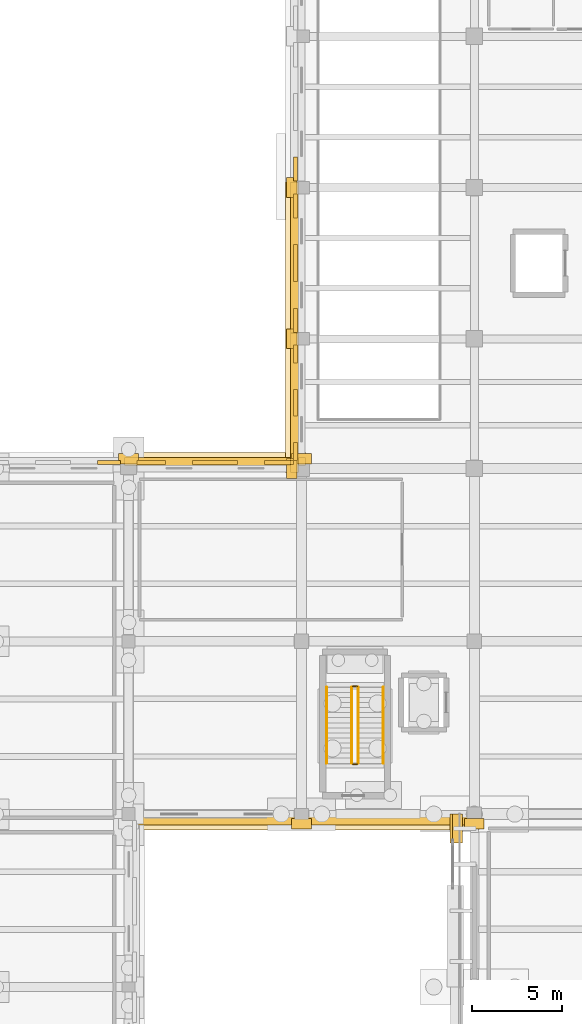
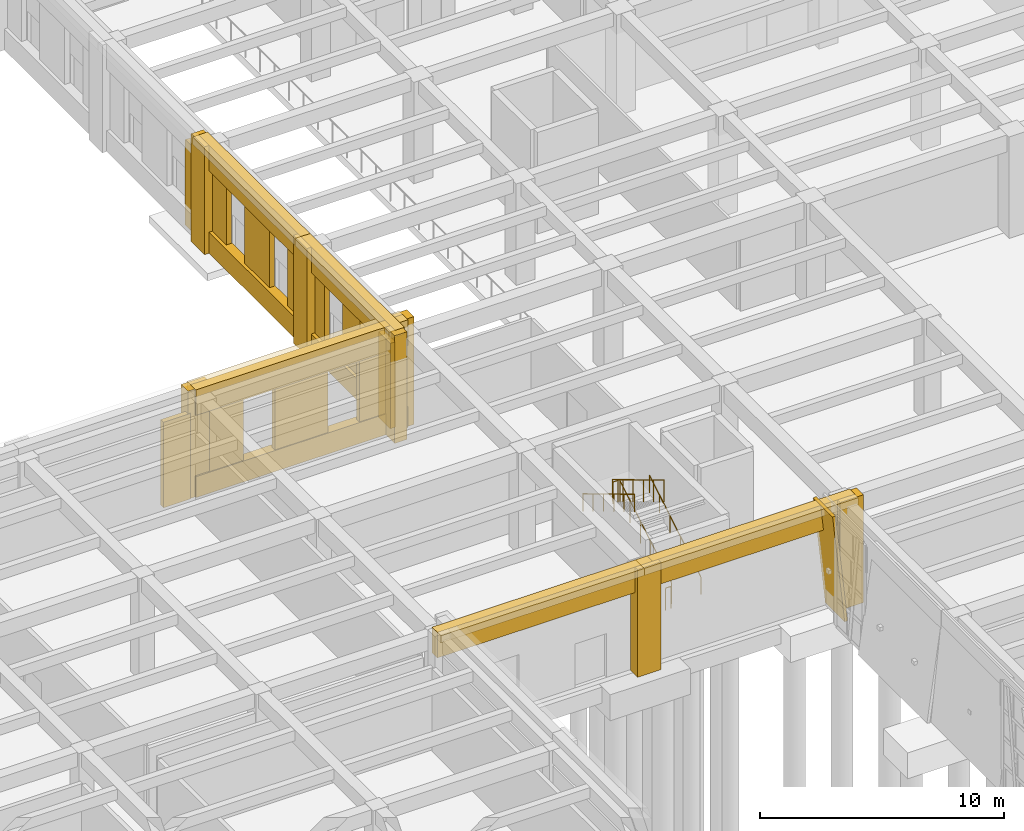
# One storey, part 44 of 51: 32 coverings, 6 railings.
"""IFC4 building model written with IfcOpenShell, lengths in metres."""

from ifc_helpers import new_model, si_unit, direction, frame, origin, origin_2d, place, context, subcontext, project, spatial, rectangle, circle, extrude, material, layer, layer_set, type_object, element, save


model = new_model("IFC4")

# Units and contexts
model_context = context("Model", 3, precision=1e-05, world=origin(), true_north=direction((0.0, 1.0)))
body_context = subcontext(model_context, "Body", "Model", "MODEL_VIEW")
ifc_project = project(units=[si_unit("LENGTHUNIT", "METRE"), si_unit("AREAUNIT", "SQUARE_METRE"), si_unit("VOLUMEUNIT", "CUBIC_METRE"), si_unit("PLANEANGLEUNIT", "RADIAN"), si_unit("MASSUNIT", "GRAM", prefix="KILO")], contexts=[model_context])

# Site, building, storey
site_placement = place(None, origin())
site = spatial("IfcSite", under=ifc_project, at=site_placement, CompositionType="ELEMENT")
building_placement = place(site_placement, origin())
building = spatial("IfcBuilding", under=site, at=building_placement, Name="Bempovik Park Faculty of Sciences", CompositionType="ELEMENT")
storey_placement = place(building_placement, origin())
storey = spatial("IfcBuildingStorey", under=building, at=storey_placement, Name="L00", CompositionType="ELEMENT", Elevation=0.0)

# Coverings
ifc_material_1 = material(Name="White reconstituted limestone precast C40/50", Category="masonry")
ifc_layer_1 = layer(ifc_material_1, 0.1201171875)
ifc_layer_set_1 = layer_set([ifc_layer_1], Name="White reconstituted limestone precast C40/50")
covering_type_1 = type_object("IfcCoveringType", Name="CL-01 Crystal Limestone Facet 120mm", PredefinedType="CLADDING", material=ifc_layer_set_1)
covering_1_placement = place(storey_placement, frame((59.28515625, 67.00244140625, -0.025146484375), z_axis=(-0.104528463268, 0.0, 0.994521895368), x_axis=(0.0, 1.0, 0.0)))
element("IfcCovering", 1, at=covering_1_placement, inside=storey, type_object=covering_type_1, Name="L00 Counter-Tilted Crystal Facet FAC-CRYS-L00-600-582-R", PredefinedType="CLADDING", context=body_context, shape_type="SweptSolid", body=[
    extrude(rectangle(XDim=1.594970703125, YDim=0.139892578125, at=origin_2d()), origin(), (0.0, 0.0, 1.0), 5.47998046875),
])
ifc_material_2 = material(Name="Precast concrete C40/50", Category="concrete")
ifc_layer_2 = layer(ifc_material_2, 0.179931640625)
ifc_layer_set_2 = layer_set([ifc_layer_2], Name="Precast concrete C40/50")
covering_type_2 = type_object("IfcCoveringType", Name="CL-02 Classical Cornice Band 180mm", PredefinedType="CLADDING", material=ifc_layer_set_2)
covering_2_placement = place(storey_placement, frame((45.580078125, 67.27001953125, 5.0400390625), z_axis=(0.0, 0.0, 1.0), x_axis=(1.0, 0.0, 0.0)))
element("IfcCovering", 2, at=covering_2_placement, inside=storey, type_object=covering_type_2, Name="L00 Classical Projecting Dentil Cornice EW-L00-5657", PredefinedType="CLADDING", context=body_context, shape_type="SweptSolid", body=[
    extrude(rectangle(XDim=10.18603515625, YDim=0.719970703125, at=origin_2d()), origin(), (0.0, 0.0, 1.0), 0.360107421875),
])
covering_3_placement = place(storey_placement, frame((55.199951171875, 67.27001953125, 5.0400390625), z_axis=(0.0, 0.0, 1.0), x_axis=(1.0, 0.0, 0.0)))
element("IfcCovering", 3, at=covering_3_placement, inside=storey, type_object=covering_type_2, Name="L00 Classical Projecting Dentil Cornice EW-L00-5662", PredefinedType="CLADDING", context=body_context, shape_type="SweptSolid", body=[
    extrude(rectangle(XDim=10.14599609375, YDim=0.719970703125, at=origin_2d()), origin(), (0.0, 0.0, 1.0), 0.360107421875),
])
covering_4_placement = place(storey_placement, frame((45.60009765625, 87.530029296875, 5.0400390625), z_axis=(0.0, 0.0, 1.0), x_axis=(1.0, 0.0, 0.0)))
element("IfcCovering", 4, at=covering_4_placement, inside=storey, type_object=covering_type_2, Name="L00 Classical Projecting Dentil Cornice EW-L00-5794", PredefinedType="CLADDING", context=body_context, shape_type="SweptSolid", body=[
    extrude(rectangle(XDim=10.0458984375, YDim=0.719970703125, at=origin_2d()), origin(), (0.0, 0.0, 1.0), 0.360107421875),
])
covering_5_placement = place(storey_placement, frame((49.8701171875, 90.64990234375, 5.0400390625), z_axis=(0.0, 0.0, 1.0), x_axis=(1.0, 0.0, 0.0)))
element("IfcCovering", 5, at=covering_5_placement, inside=storey, type_object=covering_type_2, Name="L00 Classical Projecting Dentil Cornice EW-L00-5804", PredefinedType="CLADDING", context=body_context, shape_type="SweptSolid", body=[
    extrude(rectangle(XDim=0.719970703125, YDim=7.74609375, at=origin_2d()), origin(), (0.0, 0.0, 1.0), 0.360107421875),
])
covering_6_placement = place(storey_placement, frame((49.8701171875, 98.39990234375, 5.0400390625), z_axis=(0.0, 0.0, 1.0), x_axis=(1.0, 0.0, 0.0)))
element("IfcCovering", 6, at=covering_6_placement, inside=storey, type_object=covering_type_2, Name="L00 Classical Projecting Dentil Cornice EW-L00-5815", PredefinedType="CLADDING", context=body_context, shape_type="SweptSolid", body=[
    extrude(rectangle(XDim=0.719970703125, YDim=9.0458984375, at=origin_2d()), origin(), (0.0, 0.0, 1.0), 0.360107421875),
])
ifc_layer_3 = layer(ifc_material_1, 0.239990234375)
ifc_layer_set_3 = layer_set([ifc_layer_3], Name="White reconstituted limestone precast C40/50")
covering_type_3 = type_object("IfcCoveringType", Name="CL-03 Classical Fluted Limestone Pilaster 240mm", PredefinedType="CLADDING", material=ifc_layer_set_3)
covering_7_placement = place(storey_placement, frame((45.580078125, 67.409912109375, 4.1201171875), z_axis=(0.0, 0.0, 1.0), x_axis=(1.0, 0.0, 0.0)))
element("IfcCovering", 7, at=covering_7_placement, inside=storey, type_object=covering_type_3, Name="L00 Classical Limestone Spandrel Entablature EW-L00-5657", PredefinedType="CLADDING", context=body_context, shape_type="SweptSolid", body=[
    extrude(rectangle(XDim=10.18603515625, YDim=0.43994140625, at=origin_2d()), origin(), (0.0, 0.0, 1.0), 1.280029296875),
])
covering_8_placement = place(storey_placement, frame((50.39990234375, 67.27001953125, 0.0), z_axis=(0.0, 0.0, 1.0), x_axis=(1.0, 0.0, 0.0)))
element("IfcCovering", 8, at=covering_8_placement, inside=storey, type_object=covering_type_3, Name="L00 Classical Fluted Stone Pilaster PIL-BA-L00-504-673", PredefinedType="CLADDING", context=body_context, shape_type="SweptSolid", body=[
    extrude(rectangle(XDim=1.10009765625, YDim=0.580078125, at=origin_2d()), origin(), (0.0, 0.0, 1.0), 5.39990234375),
])
covering_9_placement = place(storey_placement, frame((55.199951171875, 67.409912109375, 4.1201171875), z_axis=(0.0, 0.0, 1.0), x_axis=(1.0, 0.0, 0.0)))
element("IfcCovering", 9, at=covering_9_placement, inside=storey, type_object=covering_type_3, Name="L00 Classical Limestone Spandrel Entablature EW-L00-5662", PredefinedType="CLADDING", context=body_context, shape_type="SweptSolid", body=[
    extrude(rectangle(XDim=10.14599609375, YDim=0.43994140625, at=origin_2d()), origin(), (0.0, 0.0, 1.0), 1.280029296875),
])
for number, where, z_axis, x_axis, name in (
    (10, (60.0, 67.27001953125, 0.0), (0.0, 0.0, 1.0), (1.0, 0.0, 0.0), "L00 Classical Fluted Stone Pilaster PIL-BA-L00-600-673"),
    (11, (40.800048828125, 87.530029296875, 0.0), (0.0, 0.0, 1.0), (1.0, 0.0, 0.0), "L00 Classical Fluted Stone Pilaster PIL-BA-L00-408-875"),
):
    element("IfcCovering", number, at=place(storey_placement, frame(where, z_axis=z_axis, x_axis=x_axis)), inside=storey, type_object=covering_type_3, Name=name, PredefinedType="CLADDING", context=body_context, shape_type="SweptSolid", body=[
        extrude(rectangle(XDim=1.10009765625, YDim=0.580078125, at=origin_2d()), origin(), (0.0, 0.0, 1.0), 5.39990234375),
    ])
covering_10_placement = place(storey_placement, frame((39.7060546875, 87.330078125, 0.0), z_axis=(0.0, 0.0, 1.0), x_axis=(1.0, 0.0, 0.0)))
element("IfcCovering", 12, at=covering_10_placement, inside=storey, type_object=covering_type_3, Name="L00 White Limestone Wall Cheek EW-L00-5784-4", PredefinedType="CLADDING", context=body_context, shape_type="SweptSolid", body=[
    extrude(rectangle(XDim=1.283935546875, YDim=0.239990234375, at=origin_2d()), origin(), (0.0, 0.0, 1.0), 4.280029296875),
])
covering_11_placement = place(storey_placement, frame((45.60009765625, 87.389892578125, 4.1201171875), z_axis=(0.0, 0.0, 1.0), x_axis=(1.0, 0.0, 0.0)))
element("IfcCovering", 13, at=covering_11_placement, inside=storey, type_object=covering_type_3, Name="L00 Classical Limestone Spandrel Entablature EW-L00-5794", PredefinedType="CLADDING", context=body_context, shape_type="SweptSolid", body=[
    extrude(rectangle(XDim=10.0458984375, YDim=0.43994140625, at=origin_2d()), origin(), (0.0, 0.0, 1.0), 1.280029296875),
])
covering_12_placement = place(storey_placement, frame((45.60009765625, 87.389892578125, 0.0), z_axis=(0.0, 0.0, 1.0), x_axis=(1.0, 0.0, 0.0)))
element("IfcCovering", 14, at=covering_12_placement, inside=storey, type_object=covering_type_3, Name="L00 Classical Limestone Sill Dado EW-L00-5794", PredefinedType="CLADDING", context=body_context, shape_type="SweptSolid", body=[
    extrude(rectangle(XDim=10.0458984375, YDim=0.43994140625, at=origin_2d()), origin(), (0.0, 0.0, 1.0), 1.050048828125),
])
covering_13_placement = place(storey_placement, frame((50.39990234375, 87.530029296875, 0.0), z_axis=(0.0, 0.0, 1.0), x_axis=(1.0, 0.0, 0.0)))
element("IfcCovering", 15, at=covering_13_placement, inside=storey, type_object=covering_type_3, Name="L00 Classical Fluted Stone Pilaster PIL-BA-L00-504-875", PredefinedType="CLADDING", context=body_context, shape_type="SweptSolid", body=[
    extrude(rectangle(XDim=1.10009765625, YDim=0.580078125, at=origin_2d()), origin(), (0.0, 0.0, 1.0), 5.39990234375),
])
covering_14_placement = place(storey_placement, frame((42.055908203125, 87.330078125, 0.0), z_axis=(0.0, 0.0, 1.0), x_axis=(1.0, 0.0, 0.0)))
element("IfcCovering", 16, at=covering_14_placement, inside=storey, type_object=covering_type_3, Name="L00 White Limestone Wall Cheek EW-L00-5794-0", PredefinedType="CLADDING", context=body_context, shape_type="SweptSolid", body=[
    extrude(rectangle(XDim=1.60791015625, YDim=0.239990234375, at=origin_2d()), origin(), (0.0, 0.0, 1.0), 4.280029296875),
])
covering_15_placement = place(storey_placement, frame((45.60009765625, 87.330078125, 0.0), z_axis=(0.0, 0.0, 1.0), x_axis=(1.0, 0.0, 0.0)))
element("IfcCovering", 17, at=covering_15_placement, inside=storey, type_object=covering_type_3, Name="L00 White Limestone Wall Cheek EW-L00-5794-2", PredefinedType="CLADDING", context=body_context, shape_type="SweptSolid", body=[
    extrude(rectangle(XDim=2.520263671875, YDim=0.239990234375, at=origin_2d()), origin(), (0.0, 0.0, 1.0), 4.280029296875),
])
covering_16_placement = place(storey_placement, frame((49.14404296875, 87.330078125, 0.0), z_axis=(0.0, 0.0, 1.0), x_axis=(1.0, 0.0, 0.0)))
element("IfcCovering", 18, at=covering_16_placement, inside=storey, type_object=covering_type_3, Name="L00 White Limestone Wall Cheek EW-L00-5794-4", PredefinedType="CLADDING", context=body_context, shape_type="SweptSolid", body=[
    extrude(rectangle(XDim=1.60791015625, YDim=0.239990234375, at=origin_2d()), origin(), (0.0, 0.0, 1.0), 4.280029296875),
])
covering_17_placement = place(storey_placement, frame((50.010009765625, 90.64990234375, 4.1201171875), z_axis=(0.0, 0.0, 1.0), x_axis=(1.0, 0.0, 0.0)))
element("IfcCovering", 19, at=covering_17_placement, inside=storey, type_object=covering_type_3, Name="L00 Classical Limestone Spandrel Entablature EW-L00-5804", PredefinedType="CLADDING", context=body_context, shape_type="SweptSolid", body=[
    extrude(rectangle(XDim=0.43994140625, YDim=7.74609375, at=origin_2d()), origin(), (0.0, 0.0, 1.0), 1.280029296875),
])
covering_18_placement = place(storey_placement, frame((50.010009765625, 90.64990234375, 0.0), z_axis=(0.0, 0.0, 1.0), x_axis=(1.0, 0.0, 0.0)))
element("IfcCovering", 20, at=covering_18_placement, inside=storey, type_object=covering_type_3, Name="L00 Classical Limestone Sill Dado EW-L00-5804", PredefinedType="CLADDING", context=body_context, shape_type="SweptSolid", body=[
    extrude(rectangle(XDim=0.43994140625, YDim=7.74609375, at=origin_2d()), origin(), (0.0, 0.0, 1.0), 1.050048828125),
])
for number, where, z_axis, x_axis, name in (
    (21, (49.8701171875, 87.0, 0.0), (0.0, 0.0, 1.0), (1.0, 0.0, 0.0), "L00 Classical Fluted Stone Pilaster PIL-BA-L00-499-870"),
    (22, (49.8701171875, 94.199951171875, 0.0), (0.0, 0.0, 1.0), (1.0, 0.0, 0.0), "L00 Classical Fluted Stone Pilaster PIL-BA-L00-499-942"),
):
    element("IfcCovering", number, at=place(storey_placement, frame(where, z_axis=z_axis, x_axis=x_axis)), inside=storey, type_object=covering_type_3, Name=name, PredefinedType="CLADDING", context=body_context, shape_type="SweptSolid", body=[
        extrude(rectangle(XDim=0.580078125, YDim=1.10009765625, at=origin_2d()), origin(), (0.0, 0.0, 1.0), 5.39990234375),
    ])
covering_19_placement = place(storey_placement, frame((50.070068359375, 87.9453125, 0.0), z_axis=(0.0, 0.0, 1.0), x_axis=(1.0, 0.0, 0.0)))
element("IfcCovering", 23, at=covering_19_placement, inside=storey, type_object=covering_type_3, Name="L00 White Limestone Wall Cheek EW-L00-5804-0", PredefinedType="CLADDING", context=body_context, shape_type="SweptSolid", body=[
    extrude(rectangle(XDim=0.239990234375, YDim=0.98681640625, at=origin_2d()), origin(), (0.0, 0.0, 1.0), 4.280029296875),
])
covering_20_placement = place(storey_placement, frame((50.070068359375, 90.64990234375, 0.0), z_axis=(0.0, 0.0, 1.0), x_axis=(1.0, 0.0, 0.0)))
element("IfcCovering", 24, at=covering_20_placement, inside=storey, type_object=covering_type_3, Name="L00 White Limestone Wall Cheek EW-L00-5804-2", PredefinedType="CLADDING", context=body_context, shape_type="SweptSolid", body=[
    extrude(rectangle(XDim=0.239990234375, YDim=1.462158203125, at=origin_2d()), origin(), (0.0, 0.0, 1.0), 4.280029296875),
])
covering_21_placement = place(storey_placement, frame((50.070068359375, 93.3544921875, 0.0), z_axis=(0.0, 0.0, 1.0), x_axis=(1.0, 0.0, 0.0)))
element("IfcCovering", 25, at=covering_21_placement, inside=storey, type_object=covering_type_3, Name="L00 White Limestone Wall Cheek EW-L00-5804-4", PredefinedType="CLADDING", context=body_context, shape_type="SweptSolid", body=[
    extrude(rectangle(XDim=0.239990234375, YDim=0.98681640625, at=origin_2d()), origin(), (0.0, 0.0, 1.0), 4.280029296875),
])
covering_22_placement = place(storey_placement, frame((50.010009765625, 98.39990234375, 4.1201171875), z_axis=(0.0, 0.0, 1.0), x_axis=(1.0, 0.0, 0.0)))
element("IfcCovering", 26, at=covering_22_placement, inside=storey, type_object=covering_type_3, Name="L00 Classical Limestone Spandrel Entablature EW-L00-5815", PredefinedType="CLADDING", context=body_context, shape_type="SweptSolid", body=[
    extrude(rectangle(XDim=0.43994140625, YDim=9.0458984375, at=origin_2d()), origin(), (0.0, 0.0, 1.0), 1.280029296875),
])
covering_23_placement = place(storey_placement, frame((50.010009765625, 98.39990234375, 0.0), z_axis=(0.0, 0.0, 1.0), x_axis=(1.0, 0.0, 0.0)))
element("IfcCovering", 27, at=covering_23_placement, inside=storey, type_object=covering_type_3, Name="L00 Classical Limestone Sill Dado EW-L00-5815", PredefinedType="CLADDING", context=body_context, shape_type="SweptSolid", body=[
    extrude(rectangle(XDim=0.43994140625, YDim=9.0458984375, at=origin_2d()), origin(), (0.0, 0.0, 1.0), 1.050048828125),
])
covering_24_placement = place(storey_placement, frame((49.8701171875, 102.60009765625, 0.0), z_axis=(0.0, 0.0, 1.0), x_axis=(1.0, 0.0, 0.0)))
element("IfcCovering", 28, at=covering_24_placement, inside=storey, type_object=covering_type_3, Name="L00 Classical Fluted Stone Pilaster PIL-BA-L00-499-1026", PredefinedType="CLADDING", context=body_context, shape_type="SweptSolid", body=[
    extrude(rectangle(XDim=0.580078125, YDim=1.10009765625, at=origin_2d()), origin(), (0.0, 0.0, 1.0), 5.39990234375),
])
covering_25_placement = place(storey_placement, frame((50.070068359375, 95.220947265625, 0.0), z_axis=(0.0, 0.0, 1.0), x_axis=(1.0, 0.0, 0.0)))
element("IfcCovering", 29, at=covering_25_placement, inside=storey, type_object=covering_type_3, Name="L00 White Limestone Wall Cheek EW-L00-5815-0", PredefinedType="CLADDING", context=body_context, shape_type="SweptSolid", body=[
    extrude(rectangle(XDim=0.239990234375, YDim=1.337890625, at=origin_2d()), origin(), (0.0, 0.0, 1.0), 4.280029296875),
])
covering_26_placement = place(storey_placement, frame((50.070068359375, 98.39990234375, 0.0), z_axis=(0.0, 0.0, 1.0), x_axis=(1.0, 0.0, 0.0)))
element("IfcCovering", 30, at=covering_26_placement, inside=storey, type_object=covering_type_3, Name="L00 White Limestone Wall Cheek EW-L00-5815-2", PredefinedType="CLADDING", context=body_context, shape_type="SweptSolid", body=[
    extrude(rectangle(XDim=0.239990234375, YDim=2.060302734375, at=origin_2d()), origin(), (0.0, 0.0, 1.0), 4.280029296875),
])
for number, where, z_axis, x_axis, name in (
    (31, (50.070068359375, 101.5791015625, 0.0), (0.0, 0.0, 1.0), (1.0, 0.0, 0.0), "L00 White Limestone Wall Cheek EW-L00-5815-4"),
    (32, (50.070068359375, 103.620849609375, 0.0), (0.0, 0.0, 1.0), (1.0, 0.0, 0.0), "L00 White Limestone Wall Cheek EW-L00-5825-0"),
):
    element("IfcCovering", number, at=place(storey_placement, frame(where, z_axis=z_axis, x_axis=x_axis)), inside=storey, type_object=covering_type_3, Name=name, PredefinedType="CLADDING", context=body_context, shape_type="SweptSolid", body=[
        extrude(rectangle(XDim=0.239990234375, YDim=1.337890625, at=origin_2d()), origin(), (0.0, 0.0, 1.0), 4.280029296875),
    ])

# Railings
ifc_material_3 = material(Name="Anodised architectural bronze")
railing_type_1 = type_object("IfcRailingType", Name="GR-01 Guardrail 1120mm", PredefinedType="GUARDRAIL", material=ifc_material_3)
railing_1_placement = place(storey_placement, frame((53.550048828125, 70.625, 0.168701171875)))
element("IfcRailing", 33, at=railing_1_placement, inside=storey, type_object=railing_type_1, Name="L00 ST-4 Stair Guard 1", PredefinedType="GUARDRAIL", context=body_context, shape_type="SweptSolid", body=[
    extrude(circle(Radius=0.02392578125, at=origin_2d()), frame((0.0, 0.0, 1.09619140625), z_axis=(0.0, 0.857492925713, 0.514495755428), x_axis=(-1.0, 0.0, 0.0)), (0.0, 0.0, 1.0), 4.919921875),
    extrude(circle(Radius=0.02099609375, at=origin_2d()), origin(), (0.0, 0.0, 1.0), 1.072021484375),
    extrude(circle(Radius=0.02099609375, at=origin_2d()), frame((0.0, 0.84375, 0.50634765625)), (0.0, 0.0, 1.0), 1.072021484375),
    extrude(circle(Radius=0.02099609375, at=origin_2d()), frame((0.0, 1.6875, 1.012451171875)), (0.0, 0.0, 1.0), 1.072021484375),
    extrude(circle(Radius=0.02099609375, at=origin_2d()), frame((0.0, 2.53125, 1.518798828125)), (0.0, 0.0, 1.0), 1.072021484375),
    extrude(circle(Radius=0.02099609375, at=origin_2d()), frame((0.0, 3.375, 2.02490234375)), (0.0, 0.0, 1.0), 1.072021484375),
    extrude(circle(Radius=0.02099609375, at=origin_2d()), frame((0.0, 4.21875, 2.53125)), (0.0, 0.0, 1.0), 1.072021484375),
])
railing_2_placement = place(storey_placement, frame((53.5, 74.893798828125, 2.699951171875)))
element("IfcRailing", 34, at=railing_2_placement, inside=storey, type_object=railing_type_1, Name="L00 ST-4 Stair Guard 2", PredefinedType="GUARDRAIL", context=body_context, shape_type="SweptSolid", body=[
    extrude(circle(Radius=0.02392578125, at=origin_2d()), frame((0.0, 0.0, 1.09619140625), z_axis=(-1.0, 0.0, 0.0), x_axis=(0.0, -1.0, 0.0)), (0.0, 0.0, 1.0), 0.25),
    extrude(circle(Radius=0.02099609375, at=origin_2d()), origin(), (0.0, 0.0, 1.0), 1.072021484375),
    extrude(circle(Radius=0.02099609375, at=origin_2d()), frame((-0.25, 0.0, 0.0)), (0.0, 0.0, 1.0), 1.072021484375),
])
railing_3_placement = place(storey_placement, frame((53.199951171875, 74.84375, 2.86865234375)))
element("IfcRailing", 35, at=railing_3_placement, inside=storey, type_object=railing_type_1, Name="L00 ST-4 Stair Guard 3", PredefinedType="GUARDRAIL", context=body_context, shape_type="SweptSolid", body=[
    extrude(circle(Radius=0.02392578125, at=origin_2d()), frame((0.0, 0.0, 1.09619140625), z_axis=(0.0, -0.857492925713, 0.514495755428), x_axis=(1.0, 0.0, 0.0)), (0.0, 0.0, 1.0), 4.919921875),
    extrude(circle(Radius=0.02099609375, at=origin_2d()), origin(), (0.0, 0.0, 1.0), 1.072021484375),
    extrude(circle(Radius=0.02099609375, at=origin_2d()), frame((0.0, -0.84375, 0.50634765625)), (0.0, 0.0, 1.0), 1.072021484375),
    extrude(circle(Radius=0.02099609375, at=origin_2d()), frame((0.0, -1.6875, 1.012451171875)), (0.0, 0.0, 1.0), 1.072021484375),
    extrude(circle(Radius=0.02099609375, at=origin_2d()), frame((0.0, -2.53125, 1.518798828125)), (0.0, 0.0, 1.0), 1.072021484375),
    extrude(circle(Radius=0.02099609375, at=origin_2d()), frame((0.0, -3.375, 2.02490234375)), (0.0, 0.0, 1.0), 1.072021484375),
    extrude(circle(Radius=0.02099609375, at=origin_2d()), frame((0.0, -4.21875, 2.53125)), (0.0, 0.0, 1.0), 1.072021484375),
])
railing_4_placement = place(storey_placement, frame((53.5, 70.574951171875, 0.0)))
element("IfcRailing", 36, at=railing_4_placement, inside=storey, type_object=railing_type_1, Name="L00 ST-4 Stair Guard 4", PredefinedType="GUARDRAIL", context=body_context, shape_type="SweptSolid", body=[
    extrude(circle(Radius=0.02392578125, at=origin_2d()), frame((0.0, 0.0, 1.09619140625), z_axis=(-1.0, 0.0, 0.0), x_axis=(0.0, -1.0, 0.0)), (0.0, 0.0, 1.0), 0.25),
    extrude(circle(Radius=0.02099609375, at=origin_2d()), origin(), (0.0, 0.0, 1.0), 1.072021484375),
    extrude(circle(Radius=0.02099609375, at=origin_2d()), frame((-0.25, 0.0, 0.0)), (0.0, 0.0, 1.0), 1.072021484375),
])
railing_type_2 = type_object("IfcRailingType", Name="HR-01 Wall Handrail 900mm", PredefinedType="HANDRAIL", material=ifc_material_3)
railing_5_placement = place(storey_placement, frame((54.949951171875, 70.625, 0.168701171875)))
element("IfcRailing", 37, at=railing_5_placement, inside=storey, type_object=railing_type_2, Name="L00 ST-4 Stair Handrail 1", PredefinedType="HANDRAIL", context=body_context, shape_type="SweptSolid", body=[
    extrude(circle(Radius=0.02392578125, at=origin_2d()), frame((0.0, 0.0, 0.8759765625), z_axis=(0.0, 0.857492925713, 0.514495755428), x_axis=(-1.0, 0.0, 0.0)), (0.0, 0.0, 1.0), 4.919921875),
    extrude(circle(Radius=0.02099609375, at=origin_2d()), origin(), (0.0, 0.0, 1.0), 0.851806640625),
    extrude(circle(Radius=0.02099609375, at=origin_2d()), frame((0.0, 0.84375, 0.50634765625)), (0.0, 0.0, 1.0), 0.851806640625),
    extrude(circle(Radius=0.02099609375, at=origin_2d()), frame((0.0, 1.6875, 1.012451171875)), (0.0, 0.0, 1.0), 0.851806640625),
    extrude(circle(Radius=0.02099609375, at=origin_2d()), frame((0.0, 2.53125, 1.518798828125)), (0.0, 0.0, 1.0), 0.851806640625),
    extrude(circle(Radius=0.02099609375, at=origin_2d()), frame((0.0, 3.375, 2.02490234375)), (0.0, 0.0, 1.0), 0.851806640625),
    extrude(circle(Radius=0.02099609375, at=origin_2d()), frame((0.0, 4.21875, 2.53125)), (0.0, 0.0, 1.0), 0.851806640625),
])
railing_6_placement = place(storey_placement, frame((51.800048828125, 74.84375, 2.86865234375)))
element("IfcRailing", 38, at=railing_6_placement, inside=storey, type_object=railing_type_2, Name="L00 ST-4 Stair Handrail 2", PredefinedType="HANDRAIL", context=body_context, shape_type="SweptSolid", body=[
    extrude(circle(Radius=0.02392578125, at=origin_2d()), frame((0.0, 0.0, 0.8759765625), z_axis=(0.0, -0.857492925713, 0.514495755428), x_axis=(1.0, 0.0, 0.0)), (0.0, 0.0, 1.0), 4.919921875),
    extrude(circle(Radius=0.02099609375, at=origin_2d()), origin(), (0.0, 0.0, 1.0), 0.851806640625),
    extrude(circle(Radius=0.02099609375, at=origin_2d()), frame((0.0, -0.84375, 0.50634765625)), (0.0, 0.0, 1.0), 0.851806640625),
    extrude(circle(Radius=0.02099609375, at=origin_2d()), frame((0.0, -1.6875, 1.012451171875)), (0.0, 0.0, 1.0), 0.851806640625),
    extrude(circle(Radius=0.02099609375, at=origin_2d()), frame((0.0, -2.53125, 1.518798828125)), (0.0, 0.0, 1.0), 0.851806640625),
    extrude(circle(Radius=0.02099609375, at=origin_2d()), frame((0.0, -3.375, 2.02490234375)), (0.0, 0.0, 1.0), 0.851806640625),
    extrude(circle(Radius=0.02099609375, at=origin_2d()), frame((0.0, -4.21875, 2.53125)), (0.0, 0.0, 1.0), 0.851806640625),
])

save(model, "model.ifc")
